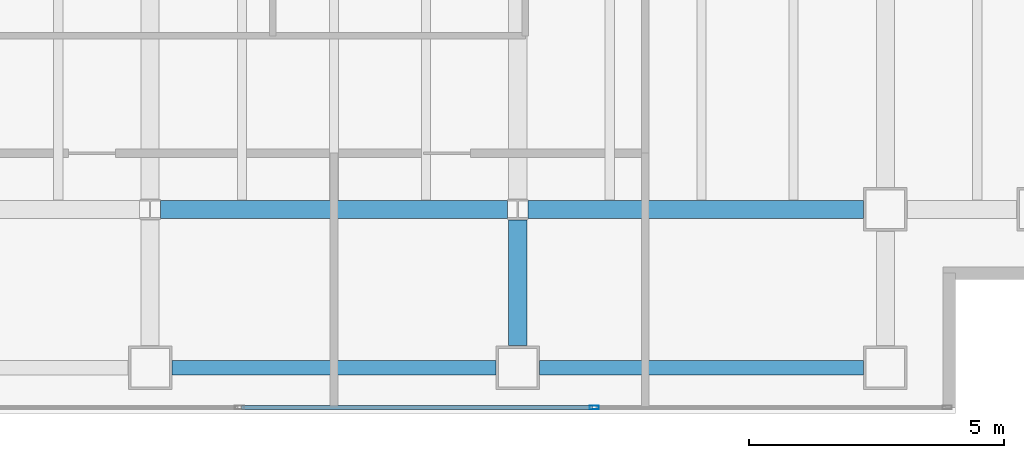
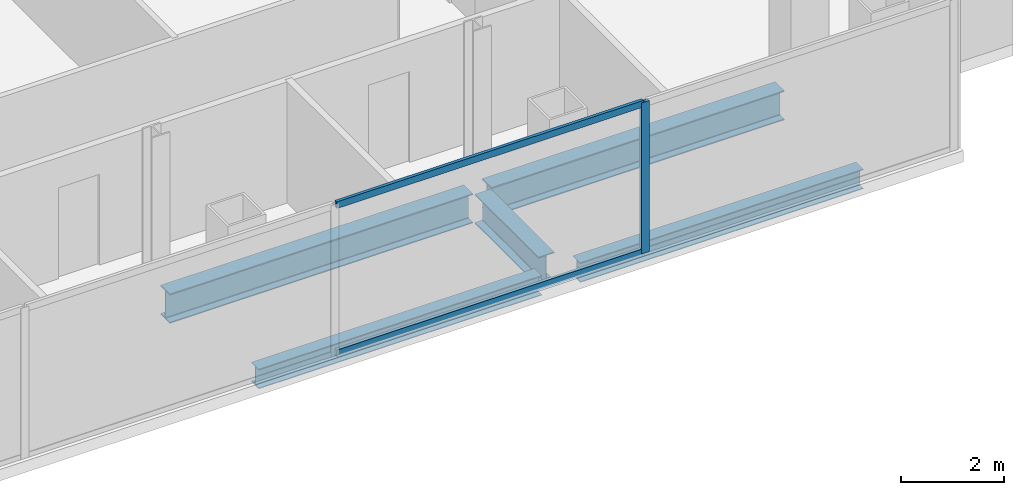
# One storey, part 9 of 23: 5 beams, 3 members, 1 element without a shape of its own.
"""IFC4 building model written with IfcOpenShell, lengths in metres."""

from ifc_helpers import new_model, si_unit, direction, frame, origin, origin_2d, place, context, subcontext, project, spatial, hollow_rectangle, i_section, extrude, material, material_profile, profile_set, type_object, element, aggregate, save


model = new_model("IFC4")

# Units and contexts
model_context = context("Model", 3, precision=1e-05, world=origin(), true_north=direction((0.0, 1.0)))
body_context = subcontext(model_context, "Body", "Model", "MODEL_VIEW")
ifc_project = project(units=[si_unit("LENGTHUNIT", "METRE"), si_unit("AREAUNIT", "SQUARE_METRE"), si_unit("VOLUMEUNIT", "CUBIC_METRE"), si_unit("PLANEANGLEUNIT", "RADIAN"), si_unit("MASSUNIT", "GRAM", prefix="KILO")], contexts=[model_context])

# Site, building, storey
site_placement = place(None, origin())
site = spatial("IfcSite", under=ifc_project, at=site_placement, CompositionType="ELEMENT")
building_placement = place(site_placement, origin())
building = spatial("IfcBuilding", under=site, at=building_placement, Name="Cobrela Telecom Tower", CompositionType="ELEMENT")
storey_placement = place(building_placement, frame((0.0, 0.0, 156.10009765625)))
storey = spatial("IfcBuildingStorey", under=building, at=storey_placement, Name="L39", CompositionType="ELEMENT", Elevation=156.10009765625)

# Beams
ifc_material_1 = material(Name="Steel ASTM A992 Grade 50", Category="steel")
ifc_material_profile_1 = material_profile(ifc_material_1, i_section(OverallWidth=0.35595703125, OverallDepth=0.696044921875, WebThickness=0.015380859375, FlangeThickness=0.024658203125, FilletRadius=0.01806640625, at=origin_2d()), Name="W27X146")
ifc_profile_set_1 = profile_set([ifc_material_profile_1], Name="Steel ASTM A992 Grade 50")
beam_type_1 = type_object("IfcBeamType", Name="BM-GIRD-05", PredefinedType="USERDEFINED", material=ifc_profile_set_1)
beam_1_placement = place(storey_placement, frame((29.00439453125, 7.199951171875, -0.6181640625), z_axis=(1.0, 0.0, 0.0), x_axis=(0.0, 1.0, 0.0)))
element("IfcBeam", 1, at=beam_1_placement, inside=storey, type_object=beam_type_1, Name="L39 Primary Girder X10", ObjectType="GIRDER", PredefinedType="USERDEFINED", context=body_context, shape_type="SweptSolid", body=[
    extrude(i_section(OverallWidth=0.35595703125, OverallDepth=0.696044921875, WebThickness=0.015380859375, FlangeThickness=0.024658203125, FilletRadius=0.01806640625, at=origin_2d()), origin(), (0.0, 0.0, 1.0), 6.791015625),
])
beam_2_placement = place(storey_placement, frame((36.20458984375, 7.199951171875, -0.6181640625), z_axis=(1.0, 0.0, 0.0), x_axis=(0.0, 1.0, 0.0)))
element("IfcBeam", 2, at=beam_2_placement, inside=storey, type_object=beam_type_1, Name="L39 Primary Girder X11", ObjectType="GIRDER", PredefinedType="USERDEFINED", context=body_context, shape_type="SweptSolid", body=[
    extrude(i_section(OverallWidth=0.35595703125, OverallDepth=0.696044921875, WebThickness=0.015380859375, FlangeThickness=0.024658203125, FilletRadius=0.01806640625, at=origin_2d()), origin(), (0.0, 0.0, 1.0), 6.5654296875),
])
beam_3_placement = place(storey_placement, frame((36.0, 4.530029296875, -0.6181640625), z_axis=(0.0, 1.0, 0.0), x_axis=(-1.0, 0.0, 0.0)))
element("IfcBeam", 3, at=beam_3_placement, inside=storey, type_object=beam_type_1, Name="L39 Primary Girder Y45", ObjectType="GIRDER", PredefinedType="USERDEFINED", context=body_context, shape_type="SweptSolid", body=[
    extrude(i_section(OverallWidth=0.35595703125, OverallDepth=0.696044921875, WebThickness=0.015380859375, FlangeThickness=0.024658203125, FilletRadius=0.01806640625, at=origin_2d()), origin(), (0.0, 0.0, 1.0), 2.465576171875),
])
ifc_material_profile_2 = material_profile(ifc_material_1, i_section(OverallWidth=0.281982421875, OverallDepth=0.467041015625, WebThickness=0.01220703125, FlangeThickness=0.01953125, FilletRadius=0.012939453125, at=origin_2d()), Name="W18X86")
ifc_profile_set_2 = profile_set([ifc_material_profile_2], Name="Steel ASTM A992 Grade 50")
beam_type_2 = type_object("IfcBeamType", Name="BM-SPAND-04", PredefinedType="SPANDREL", material=ifc_profile_set_2)
for number, where, z_axis, x_axis, name in (
    (4, (29.22998046875, 4.10009765625, -0.503662109375), (1.0, 0.0, 0.0), (0.0, 1.0, 0.0), "L39 Perimeter Spandrel X04"),
    (5, (36.429931640625, 4.10009765625, -0.503662109375), (1.0, 0.0, 0.0), (0.0, 1.0, 0.0), "L39 Perimeter Spandrel X05"),
):
    element("IfcBeam", number, at=place(storey_placement, frame(where, z_axis=z_axis, x_axis=x_axis)), inside=storey, type_object=beam_type_2, Name=name, PredefinedType="SPANDREL", context=body_context, shape_type="SweptSolid", body=[
        extrude(i_section(OverallWidth=0.281982421875, OverallDepth=0.467041015625, WebThickness=0.01220703125, FlangeThickness=0.01953125, FilletRadius=0.012939453125, at=origin_2d()), origin(), (0.0, 0.0, 1.0), 6.340087890625),
    ])

# Curtain wall, members
ifc_material_2 = material(Name="Anodized Bronze Aluminium 6063-T6", Category="aluminium")
curtain_wall_type = type_object("IfcCurtainWallType", Name="CW-SYS-TEL", PredefinedType="USERDEFINED", material=ifc_material_2)
curtain_wall_placement = place(storey_placement, origin())
curtain_wall = element("IfcCurtainWall", 6, at=curtain_wall_placement, inside=storey, type_object=curtain_wall_type, Name="L39 Unitised Bronze Curtain Wall 17", ObjectType="UNITISED CURTAIN WALL", PredefinedType="USERDEFINED")
ifc_material_profile_3 = material_profile(ifc_material_2, hollow_rectangle(XDim=0.074951171875, YDim=0.179931640625, WallThickness=0.00390625, at=origin_2d()), Name="ALU 75x180x4")
ifc_profile_set_3 = profile_set([ifc_material_profile_3], Name="Anodized Bronze Aluminium 6063-T6")
member_type_1 = type_object("IfcMemberType", Name="CW-SYS-TEL-MUL", PredefinedType="MULLION", material=ifc_profile_set_3)
member_1_placement = place(storey_placement, frame((37.5, 3.320068359375, 0.0), z_axis=(0.0, 0.0, 1.0), x_axis=(0.0, -1.0, 0.0)))
member_1 = element("IfcMember", 7, at=member_1_placement, type_object=member_type_1, Name="CW-TEL mullion 2", PredefinedType="MULLION", context=body_context, shape_type="SweptSolid", body=[
    extrude(hollow_rectangle(XDim=0.074951171875, YDim=0.179931640625, WallThickness=0.00390625, at=origin_2d()), origin(), (0.0, 0.0, 1.0), 3.579833984375),
])
ifc_material_profile_4 = material_profile(ifc_material_2, hollow_rectangle(XDim=0.070068359375, YDim=0.159912109375, WallThickness=0.00390625, at=origin_2d()), Name="ALU 70x160x4")
ifc_profile_set_4 = profile_set([ifc_material_profile_4], Name="Anodized Bronze Aluminium 6063-T6")
member_type_2 = type_object("IfcMemberType", Name="CW-SYS-TEL-TRN", PredefinedType="USERDEFINED", material=ifc_profile_set_4)
member_2_placement = place(storey_placement, frame((37.46240234375, 3.320068359375, 0.034912109375), z_axis=(-1.0, 0.0, 0.0), x_axis=(0.0, -1.0, 0.0)))
member_2 = element("IfcMember", 8, at=member_2_placement, type_object=member_type_2, Name="CW-TEL transom 2.1", ObjectType="TRANSOM", PredefinedType="USERDEFINED", context=body_context, shape_type="SweptSolid", body=[
    extrude(hollow_rectangle(XDim=0.070068359375, YDim=0.159912109375, WallThickness=0.00390625, at=origin_2d()), origin(), (0.0, 0.0, 1.0), 6.875),
])
member_3_placement = place(storey_placement, frame((37.46240234375, 3.320068359375, 3.544921875), z_axis=(-1.0, 0.0, 0.0), x_axis=(0.0, -1.0, 0.0)))
member_3 = element("IfcMember", 9, at=member_3_placement, type_object=member_type_2, Name="CW-TEL transom 2.2", ObjectType="TRANSOM", PredefinedType="USERDEFINED", context=body_context, shape_type="SweptSolid", body=[
    extrude(hollow_rectangle(XDim=0.070068359375, YDim=0.159912109375, WallThickness=0.00390625, at=origin_2d()), origin(), (0.0, 0.0, 1.0), 6.875),
])
aggregate(curtain_wall, [member_1, member_2, member_3])

save(model, "model.ifc")
